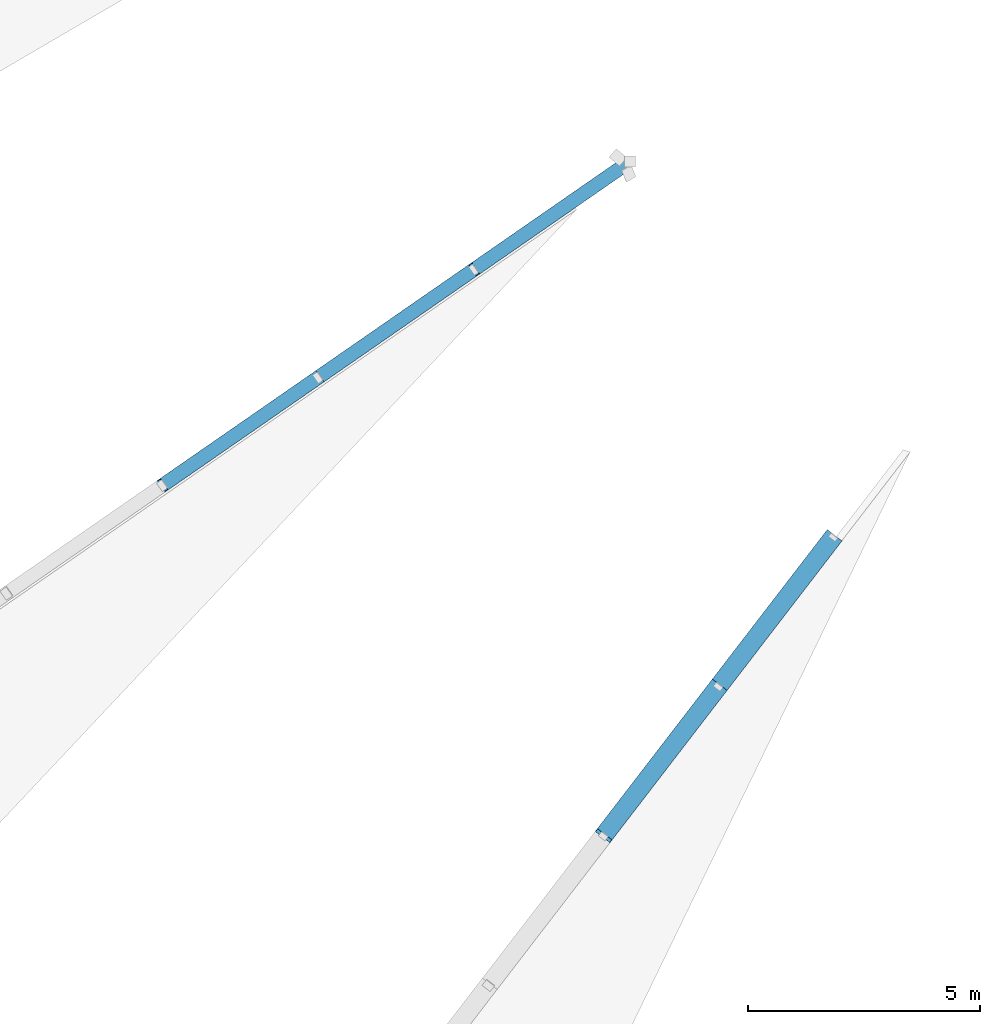
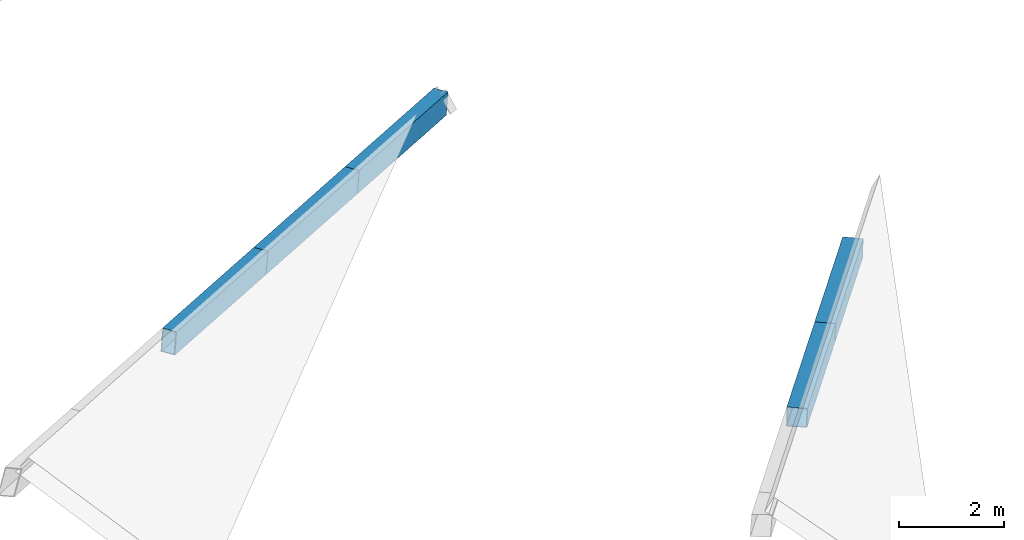
# One storey, part 13 of 188: 5 members.
"""IFC4 building model written with IfcOpenShell, lengths in metres."""

from ifc_helpers import new_model, si_unit, direction, frame, origin, origin_2d, place, context, subcontext, project, spatial, hollow_rectangle, extrude, material, material_profile, profile_set, type_object, element, save


model = new_model("IFC4")

# Units and contexts
model_context = context("Model", 3, precision=1e-05, world=origin(), true_north=direction((0.0, 1.0)))
body_context = subcontext(model_context, "Body", "Model", "MODEL_VIEW")
ifc_project = project(units=[si_unit("LENGTHUNIT", "METRE"), si_unit("AREAUNIT", "SQUARE_METRE"), si_unit("VOLUMEUNIT", "CUBIC_METRE"), si_unit("PLANEANGLEUNIT", "RADIAN"), si_unit("MASSUNIT", "GRAM", prefix="KILO")], contexts=[model_context])

# Site, building, storey
site_placement = place(None, origin())
site = spatial("IfcSite", under=ifc_project, at=site_placement, CompositionType="ELEMENT")
building_placement = place(site_placement, origin())
building = spatial("IfcBuilding", under=site, at=building_placement, Name="Meseta Stadium", CompositionType="ELEMENT")
storey_placement = place(building_placement, frame((0.0, 0.0, 30.0)))
storey = spatial("IfcBuildingStorey", under=building, at=storey_placement, Name="ROOF", CompositionType="ELEMENT", Elevation=30.0)

# Members
ifc_material_1 = material(Name="Steel S355", Category="steel")
ifc_material_profile_1 = material_profile(ifc_material_1, hollow_rectangle(XDim=0.300048828125, YDim=0.5, WallThickness=0.01611328125, at=origin_2d()), Name="RHS 500x300x16")
ifc_profile_set_1 = profile_set([ifc_material_profile_1], Name="Steel S355")
member_type_1 = type_object("IfcMemberType", Name="RHS 500x300x16 top chord", PredefinedType="CHORD", material=ifc_profile_set_1)
member_1_placement = place(storey_placement, frame((-41.66064453125, -59.019775390625, 1.30615234375), z_axis=(-0.809986888888, -0.561313061777, 0.169849599668), x_axis=(0.56958919492, -0.821929528019, 0.0)))
element("IfcMember", 1, at=member_1_placement, inside=storey, type_object=member_type_1, Name="ROOF TRUSS RT-40 top chord", PredefinedType="CHORD", context=body_context, shape_type="SweptSolid", body=[
    extrude(hollow_rectangle(XDim=0.300048828125, YDim=0.5, WallThickness=0.01611328125, at=origin_2d()), origin(), (0.0, 0.0, 1.0), 4.0419921875),
])
member_2_placement = place(storey_placement, frame((-44.9345703125, -61.28857421875, 1.99267578125), z_axis=(-0.809979219228, -0.561321551621, 0.169858117574), x_axis=(0.569598658516, -0.821922969759, 0.0)))
element("IfcMember", 2, at=member_2_placement, inside=storey, type_object=member_type_1, Name="ROOF TRUSS RT-40 top chord", PredefinedType="CHORD", context=body_context, shape_type="SweptSolid", body=[
    extrude(hollow_rectangle(XDim=0.300048828125, YDim=0.5, WallThickness=0.01611328125, at=origin_2d()), origin(), (0.0, 0.0, 1.0), 4.142333984375),
])
member_3_placement = place(storey_placement, frame((-48.289794921875, -63.61376953125, 2.6962890625), z_axis=(-0.809985745458, -0.561307979479, 0.169871846777), x_axis=(0.569586254046, -0.821931566009, 0.0)))
element("IfcMember", 3, at=member_3_placement, inside=storey, type_object=member_type_1, Name="ROOF TRUSS RT-40 top chord", PredefinedType="CHORD", context=body_context, shape_type="SweptSolid", body=[
    extrude(hollow_rectangle(XDim=0.300048828125, YDim=0.5, WallThickness=0.01611328125, at=origin_2d()), origin(), (0.0, 0.0, 1.0), 4.14208984375),
])
ifc_material_2 = material(Name="Steel S355", Category="steel")
ifc_material_profile_2 = material_profile(ifc_material_2, hollow_rectangle(XDim=0.39990234375, YDim=0.39990234375, WallThickness=0.010009765625, at=origin_2d()), Name="SHS 400x400x10")
ifc_profile_set_2 = profile_set([ifc_material_profile_2], Name="Steel S355")
member_type_2 = type_object("IfcMemberType", Name="SHS 400x400x10 top chord", PredefinedType="CHORD", material=ifc_profile_set_2)
for number, where, z_axis, x_axis, name in (
    (4, (-37.197509765625, -67.04638671875, 1.214599609375), (-0.597020682494, -0.776456667852, 0.201696176518), (0.792749139849, -0.609548030321, 0.0), "ROOF TRUSS RT-42 top chord"),
    (5, (-39.672607421875, -70.265380859375, 2.05078125), (-0.597020682494, -0.776456667852, 0.201696176518), (0.792749139849, -0.609548030321, 0.0), "ROOF TRUSS RT-42 top chord"),
):
    element("IfcMember", number, at=place(storey_placement, frame(where, z_axis=z_axis, x_axis=x_axis)), inside=storey, type_object=member_type_2, Name=name, PredefinedType="CHORD", context=body_context, shape_type="SweptSolid", body=[
        extrude(hollow_rectangle(XDim=0.39990234375, YDim=0.39990234375, WallThickness=0.010009765625, at=origin_2d()), origin(), (0.0, 0.0, 1.0), 4.145751953125),
    ])

save(model, "model.ifc")
